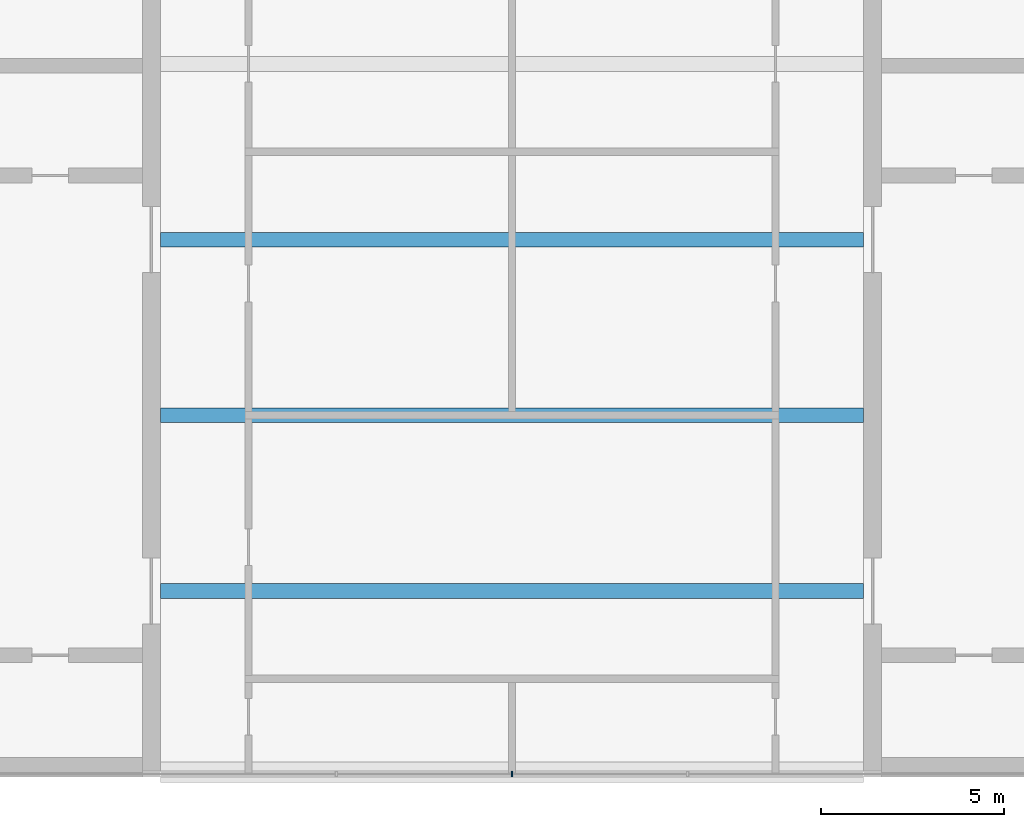
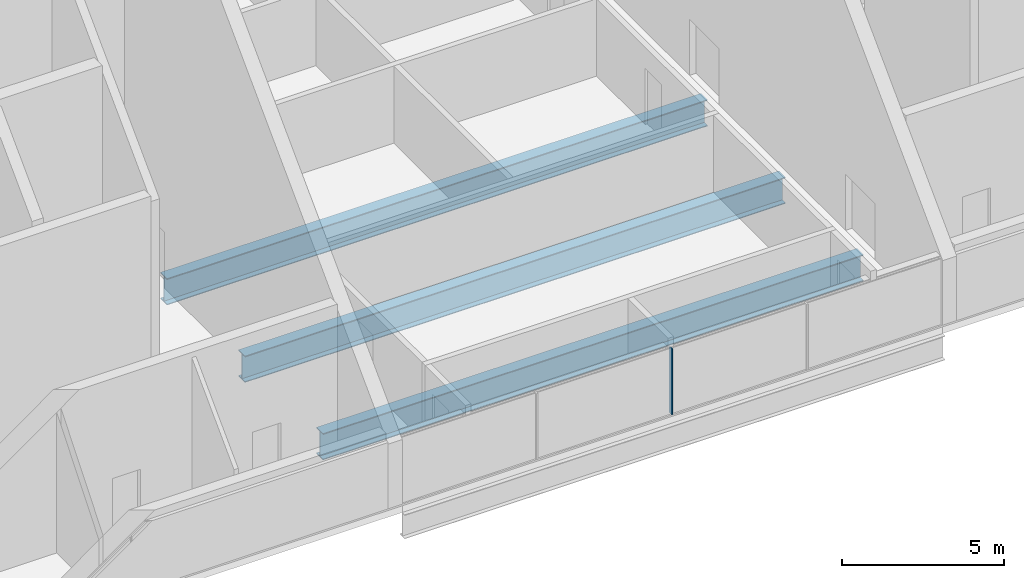
# One storey, part 4 of 12: 3 beams, 1 member, 1 element without a shape of its own.
"""IFC4 building model written with IfcOpenShell, lengths in metres."""

from ifc_helpers import new_model, si_unit, direction, frame, origin, origin_2d, place, context, subcontext, project, spatial, rectangle, i_section, extrude, material, material_profile, profile_set, type_object, element, aggregate, save


model = new_model("IFC4")

# Units and contexts
model_context = context("Model", 3, precision=1e-05, world=origin(), true_north=direction((0.0, 1.0)))
body_context = subcontext(model_context, "Body", "Model", "MODEL_VIEW")
ifc_project = project(units=[si_unit("LENGTHUNIT", "METRE"), si_unit("AREAUNIT", "SQUARE_METRE"), si_unit("VOLUMEUNIT", "CUBIC_METRE"), si_unit("PLANEANGLEUNIT", "RADIAN"), si_unit("MASSUNIT", "GRAM", prefix="KILO")], contexts=[model_context])

# Site, building, storey
site_placement = place(None, origin())
site = spatial("IfcSite", under=ifc_project, at=site_placement, CompositionType="ELEMENT")
building_placement = place(site_placement, origin())
building = spatial("IfcBuilding", under=site, at=building_placement, Name="Baori Bourse Tower", CompositionType="ELEMENT")
storey_placement = place(building_placement, frame((0.0, 0.0, 374.300048828125)))
storey = spatial("IfcBuildingStorey", under=building, at=storey_placement, Name="L84", CompositionType="ELEMENT", Elevation=374.300048828125)

# Curtain wall, member
ifc_material_1 = material(Name="Pale anodised aluminium", Category="aluminium")
curtain_wall_type = type_object("IfcCurtainWallType", Name="CW3 Curtain wall", PredefinedType="NOTDEFINED", material=ifc_material_1)
curtain_wall_placement = place(storey_placement, origin())
curtain_wall = element("IfcCurtainWall", 1, at=curtain_wall_placement, inside=storey, type_object=curtain_wall_type, Name="Curtain wall CW3 L84 1", PredefinedType="NOTDEFINED")
ifc_material_2 = material(Name="Pale anodised aluminium", Category="aluminium")
ifc_material_profile_1 = material_profile(ifc_material_2, rectangle(XDim=0.159912109375, YDim=0.050048828125, at=origin_2d()), Name="Mullion 50x160")
ifc_profile_set_1 = profile_set([ifc_material_profile_1], Name="Pale anodised aluminium")
member_type = type_object("IfcMemberType", Name="CW3 Curtain wall mullion", PredefinedType="MULLION", material=ifc_profile_set_1)
member_placement = place(storey_placement, frame((28.800048828125, 14.203369140625, 0.06005859375), z_axis=(0.0, 0.0, 1.0), x_axis=(0.0, 1.0, 0.0)))
member = element("IfcMember", 2, at=member_placement, type_object=member_type, Name="Curtain wall CW3 mullion", PredefinedType="MULLION", context=body_context, shape_type="SweptSolid", body=[
    extrude(rectangle(XDim=0.159912109375, YDim=0.050048828125, at=origin_2d()), origin(), (0.0, 0.0, 1.0), 2.469970703125),
])
aggregate(curtain_wall, [member])

# Beams
ifc_material_3 = material(Name="Steel A992 Gr 50", Category="steel")
ifc_material_profile_2 = material_profile(ifc_material_3, i_section(OverallWidth=0.4013671875, OverallDepth=0.990478515625, WebThickness=0.0166015625, FlangeThickness=0.031005859375, at=origin_2d()), Name="W40x215")
ifc_profile_set_2 = profile_set([ifc_material_profile_2], Name="Steel A992 Gr 50")
beam_type = type_object("IfcBeamType", Name="Floor beam W40x215", PredefinedType="BEAM", material=ifc_profile_set_2)
for number, where, z_axis, x_axis, name in (
    (3, (19.199951171875, 19.199951171875, -0.745361328125), (1.0, 0.0, 0.0), (0.0, 1.0, 0.0), "Floor beam L84"),
    (4, (19.199951171875, 24.0, -0.745361328125), (1.0, 0.0, 0.0), (0.0, 1.0, 0.0), "Floor beam L84"),
    (5, (19.199951171875, 28.800048828125, -0.745361328125), (1.0, 0.0, 0.0), (0.0, 1.0, 0.0), "Floor beam L84"),
):
    element("IfcBeam", number, at=place(storey_placement, frame(where, z_axis=z_axis, x_axis=x_axis)), inside=storey, type_object=beam_type, Name=name, PredefinedType="BEAM", context=body_context, shape_type="SweptSolid", body=[
        extrude(i_section(OverallWidth=0.4013671875, OverallDepth=0.990478515625, WebThickness=0.0166015625, FlangeThickness=0.031005859375, at=origin_2d()), origin(), (0.0, 0.0, 1.0), 19.199951171875),
    ])

save(model, "model.ifc")
